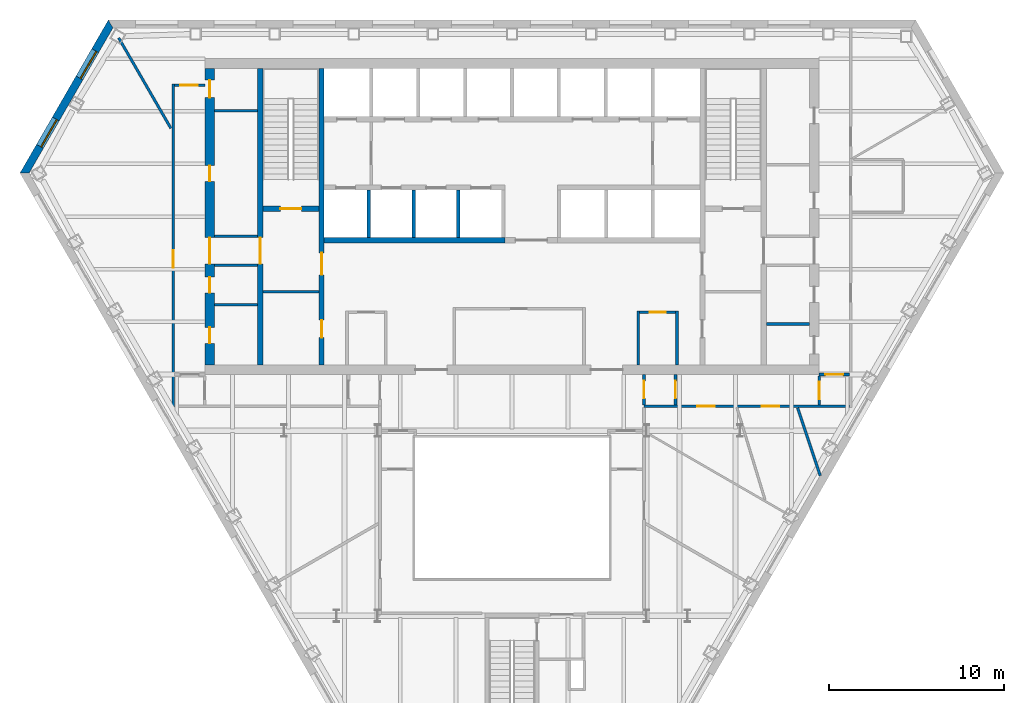
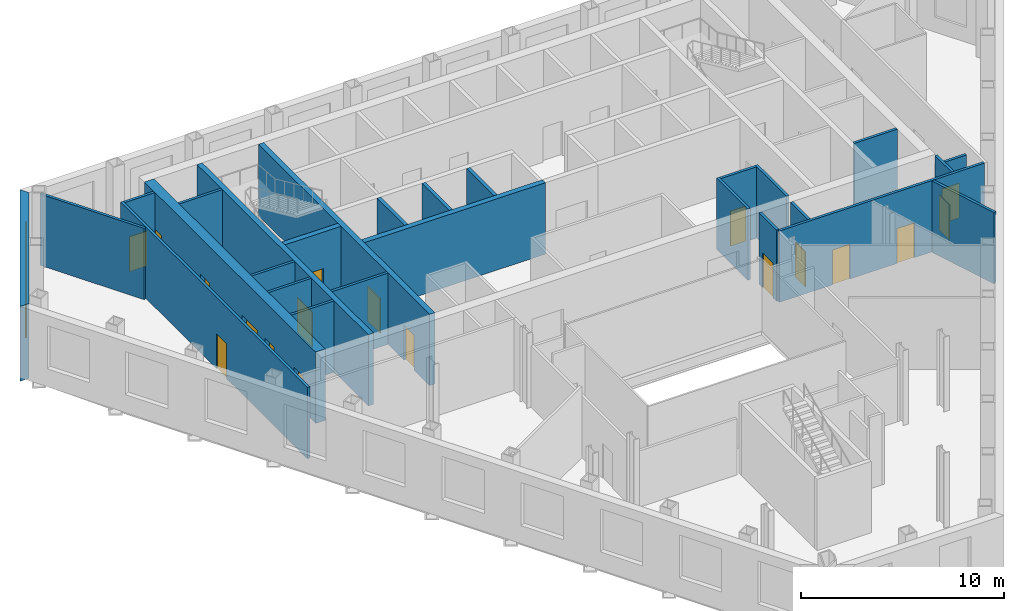
# One storey, part 6 of 11: 27 walls, 18 doors, 2 windows, 20 openings.
"""IFC4 building model written with IfcOpenShell, lengths in metres."""

import ifcopenshell
import ifcopenshell.guid

model = None  # the IFC model being written
_history = None  # IfcOwnerHistory: only IFC2X3 demands one
_inside = {}  # id of a spatial element -> (the spatial element, [elements in it])
_under = {}  # id of a project, library or spatial element -> (it, [spatial elements below it])
_declared = {}  # id of a project -> (the project, [libraries it declares])
_typed = {}  # id of a type object -> (the type object, [elements of that type])
_made_of = {}  # id of a material, layer set ... -> (it, [elements and type objects made of it])


def new_model(schema):
    """Start an empty IFC model of exactly this schema.

    Asked for "IFC4X3", IfcOpenShell would pick the latest addendum, in which some entities
    have other attributes; the version numbers below select the first issue.
    IFC2X3 requires an IfcOwnerHistory on every rooted entity: one is made here for all.
    """
    global model, _history
    if schema == "IFC4X3":
        model = ifcopenshell.file(schema_version=(4, 3, 0, 0))
    else:
        model = ifcopenshell.file(schema=schema)
    _inside.clear()
    _under.clear()
    _declared.clear()
    _typed.clear()
    _made_of.clear()
    _history = None
    if model.schema == "IFC2X3":
        org = make("IfcOrganization", Name="unknown")
        user = make(
            "IfcPersonAndOrganization",
            ThePerson=make("IfcPerson", FamilyName="unknown"),
            TheOrganization=org,
        )
        app = make(
            "IfcApplication",
            ApplicationDeveloper=org,
            Version="unknown",
            ApplicationFullName="unknown",
            ApplicationIdentifier="unknown",
        )
        _history = make(
            "IfcOwnerHistory",
            OwningUser=user,
            OwningApplication=app,
            ChangeAction="ADDED",
            CreationDate=0,
        )
    return model


def make(cls, **values):
    """One entity of the class cls with the attributes given. An attribute that is None is left unset."""
    return model.create_entity(
        cls, **{name: value for name, value in values.items() if value is not None}
    )


def rooted(cls, **values):
    """An entity with a GlobalId (a new one), such as an element, a storey or a relation."""
    return make(cls, GlobalId=ifcopenshell.guid.new(), OwnerHistory=_history, **values)


def si_unit(unit_type, name, prefix=None):
    """IfcSIUnit, for example si_unit("LENGTHUNIT", "METRE", prefix="MILLI")."""
    return make("IfcSIUnit", UnitType=unit_type, Prefix=prefix, Name=name)


def assignment(units):
    """IfcUnitAssignment: the units of a project."""
    return None if units is None else make("IfcUnitAssignment", Units=units)


def point(xyz):
    """IfcCartesianPoint."""
    return None if xyz is None else make("IfcCartesianPoint", Coordinates=xyz)


def direction(xyz):
    """IfcDirection."""
    return None if xyz is None else make("IfcDirection", DirectionRatios=xyz)


def frame(location, z_axis=None, x_axis=None):
    """IfcAxis2Placement3D, a coordinate frame: its origin and axes. An axis left out is left unset."""
    return make(
        "IfcAxis2Placement3D",
        Location=point(location),
        Axis=direction(z_axis),
        RefDirection=direction(x_axis),
    )


def frame_2d(location, x_axis=None):
    """IfcAxis2Placement2D, a coordinate frame in the plane: its origin and x axis."""
    return make(
        "IfcAxis2Placement2D", Location=point(location), RefDirection=direction(x_axis)
    )


def origin():
    """The frame at (0, 0, 0) with its axes left unset."""
    return frame((0.0, 0.0, 0.0))


def place(relative_to, where):
    """IfcLocalPlacement: puts the frame where relative to a parent placement (None: the world)."""
    return make(
        "IfcLocalPlacement", PlacementRelTo=relative_to, RelativePlacement=where
    )


def context(
    kind, dimensions, precision=None, world=None, true_north=None, identifier=None
):
    """IfcGeometricRepresentationContext, for example the 3D "Model" context."""
    return make(
        "IfcGeometricRepresentationContext",
        ContextIdentifier=identifier,
        ContextType=kind,
        CoordinateSpaceDimension=dimensions,
        Precision=precision,
        WorldCoordinateSystem=world,
        TrueNorth=true_north,
    )


def subcontext(parent, identifier, kind, view, scale=None):
    """IfcGeometricRepresentationSubContext, for example "Body" below "Model"."""
    return make(
        "IfcGeometricRepresentationSubContext",
        ContextIdentifier=identifier,
        ContextType=kind,
        ParentContext=parent,
        TargetScale=scale,
        TargetView=view,
    )


def project(units=None, contexts=None):
    """IfcProject with its units and contexts."""
    return rooted(
        "IfcProject",
        Name="project",
        RepresentationContexts=contexts,
        UnitsInContext=assignment(units),
    )


def spatial(cls, under=None, at=None, **own):
    """A site, building, storey or space (cls), placed at a placement, below another one or the project."""
    s = rooted(cls, ObjectPlacement=at, **own)
    if under is not None:
        _under.setdefault(under.id(), (under, []))[1].append(s)
    return s


def polyline(points):
    """IfcPolyline through the points."""
    return make("IfcPolyline", Points=[point(p) for p in points])


def profile(cls, at=None, kind="AREA", **sizes):
    """A parametric profile (cls). Its sizes go by their IFC names, for example OverallWidth=200.0."""
    return make(cls, ProfileType=kind, Position=at, **sizes)


def rectangle(**sizes):
    """IfcRectangleProfileDef."""
    return profile("IfcRectangleProfileDef", **sizes)


def outline(outer, holes=None, kind="AREA"):
    """IfcArbitraryClosedProfileDef: a profile drawn as a closed curve; with holes, ...WithVoids."""
    if holes is None:
        return make("IfcArbitraryClosedProfileDef", ProfileType=kind, OuterCurve=outer)
    return make(
        "IfcArbitraryProfileDefWithVoids",
        ProfileType=kind,
        OuterCurve=outer,
        InnerCurves=holes,
    )


def extrude(swept, where, along, depth):
    """IfcExtrudedAreaSolid: the profile swept, set in the frame where, extruded along a direction by depth."""
    return make(
        "IfcExtrudedAreaSolid",
        SweptArea=swept,
        Position=where,
        ExtrudedDirection=direction(along),
        Depth=depth,
    )


def shape(context_of_items, identifier, shape_type, items):
    """IfcShapeRepresentation: the items that make up one representation, for example the "Body"."""
    return make(
        "IfcShapeRepresentation",
        ContextOfItems=context_of_items,
        RepresentationIdentifier=identifier,
        RepresentationType=shape_type,
        Items=items,
    )


def material(Name=None, Category=None):
    """IfcMaterial."""
    return make("IfcMaterial", Name=Name, Category=Category)


def layer(
    of_material, thickness, ventilated=None, Name=None, Category=None, Priority=None
):
    """IfcMaterialLayer: one layer of a wall or slab, of a material (None: an air gap)."""
    return make(
        "IfcMaterialLayer",
        Material=of_material,
        LayerThickness=thickness,
        IsVentilated=ventilated,
        Name=Name,
        Category=Category,
        Priority=Priority,
    )


def layer_set(layers, Name=None):
    """IfcMaterialLayerSet."""
    return make("IfcMaterialLayerSet", MaterialLayers=layers, LayerSetName=Name)


def made_of(thing, what):
    """Note that an element or type object is made of a material, layer set ...; save() writes the relation."""
    if what is not None:
        _made_of.setdefault(what.id(), (what, []))[1].append(thing)
    return thing


def type_object(cls, material=None, **own):
    """A type object (cls), such as IfcWallType, which elements share."""
    return made_of(rooted(cls, **own), material)


def element(
    cls,
    number,
    at=None,
    inside=None,
    cuts=None,
    type_object=None,
    material=None,
    context=None,
    identifier="Body",
    shape_type=None,
    held_by="IfcProductDefinitionShape",
    body=None,
    shapes=None,
    **own,
):
    """One element of the class cls, such as IfcWall. Its Tag is "e" and its number.

    at: its placement. inside: the storey or other place that contains it. cuts: it is an
    opening in that element (IfcRelVoidsElement). A single representation is given by context,
    identifier, shape_type and body (its items); several are given by shapes. held_by: the class
    of the entity that holds the representations. save() writes the other relations.
    """
    e = rooted(cls, Tag="e%d" % number, ObjectPlacement=at, **own)
    if body is not None:
        shapes = [shape(context, identifier, shape_type, body)]
    if shapes is not None:
        e.Representation = make(held_by, Representations=shapes)
    if inside is not None:
        _inside.setdefault(inside.id(), (inside, []))[1].append(e)
    if cuts is not None:
        rooted(
            "IfcRelVoidsElement", RelatingBuildingElement=cuts, RelatedOpeningElement=e
        )
    if type_object is not None:
        _typed.setdefault(type_object.id(), (type_object, []))[1].append(e)
    return made_of(e, material)


def fill(opening, filler):
    """IfcRelFillsElement: the door or window that sits in an opening."""
    return rooted(
        "IfcRelFillsElement",
        RelatingOpeningElement=opening,
        RelatedBuildingElement=filler,
    )


def aggregate(whole, parts):
    """IfcRelAggregates: a whole, such as a stair, and the parts it consists of."""
    return rooted("IfcRelAggregates", RelatingObject=whole, RelatedObjects=parts)


def save(model, path):
    """Write the relations noted so far, then the file.

    IfcRelAggregates (storeys below a building ...), IfcRelContainedInSpatialStructure (elements
    in a storey), IfcRelDefinesByType, IfcRelAssociatesMaterial and IfcRelDeclares: one each for
    every whole, place, type object, material and project.
    """
    for whole, parts in _under.values():
        aggregate(whole, parts)
    for where, things in _inside.values():
        rooted(
            "IfcRelContainedInSpatialStructure",
            RelatedElements=things,
            RelatingStructure=where,
        )
    for kind, things in _typed.values():
        rooted("IfcRelDefinesByType", RelatedObjects=things, RelatingType=kind)
    for what, things in _made_of.values():
        rooted("IfcRelAssociatesMaterial", RelatedObjects=things, RelatingMaterial=what)
    for by, libraries in _declared.values():
        rooted("IfcRelDeclares", RelatingContext=by, RelatedDefinitions=libraries)
    model.write(path)


model = new_model("IFC4")

# Units and contexts
model_context = context("Model", 3, precision=1e-05, world=origin(), true_north=direction((0.0, 1.0)))
body_context = subcontext(model_context, "Body", "Model", "MODEL_VIEW")
ifc_project = project(units=[si_unit("LENGTHUNIT", "METRE"), si_unit("AREAUNIT", "SQUARE_METRE"), si_unit("VOLUMEUNIT", "CUBIC_METRE"), si_unit("PLANEANGLEUNIT", "RADIAN"), si_unit("MASSUNIT", "GRAM", prefix="KILO")], contexts=[model_context])

# Site, building, storey
site_placement = place(None, origin())
site = spatial("IfcSite", under=ifc_project, at=site_placement, CompositionType="ELEMENT")
building_placement = place(site_placement, origin())
building = spatial("IfcBuilding", under=site, at=building_placement, Name="Njiva Tower", CompositionType="ELEMENT")
storey_placement = place(building_placement, frame((0.0, 0.0, 97.8)))
storey = spatial("IfcBuildingStorey", under=building, at=storey_placement, Name="L20", CompositionType="ELEMENT", Elevation=97.8)

# Walls
ifc_material_1 = material(Name="Blockwork", Category="masonry")
ifc_layer_1 = layer(ifc_material_1, 0.15)
ifc_layer_set_1 = layer_set([ifc_layer_1], Name="Blockwork")
wall_type_1 = type_object("IfcWallType", Name="WT1 Compartment partition 150", PredefinedType="PARTITIONING", material=ifc_layer_set_1)
wall_1_placement = place(storey_placement, frame((-14.2, 4.725, 0.0), z_axis=(0.0, 0.0, 1.0), x_axis=(1.0, 0.0, 0.0)))
element("IfcWall", 1, at=wall_1_placement, inside=storey, type_object=wall_type_1, Name="Room wall A", PredefinedType="PARTITIONING", context=body_context, shape_type="SweptSolid", body=[
    extrude(rectangle(XDim=3.2, YDim=0.15, at=frame_2d((1.6, 0.0))), origin(), (0.0, 0.0, 1.0), 4.3),
])
wall_2_placement = place(storey_placement, frame((-16.95, 15.0294, 0.0), z_axis=(0.0, 0.0, 1.0), x_axis=(1.0, 0.0, 0.0)))
element("IfcWall", 2, at=wall_2_placement, inside=storey, type_object=wall_type_1, Name="Partition strip W10", PredefinedType="PARTITIONING", context=body_context, shape_type="SweptSolid", body=[
    extrude(rectangle(XDim=2.45, YDim=0.15, at=frame_2d((1.225, 0.0))), origin(), (0.0, 0.0, 1.0), 4.3),
])
for number, where, z_axis, x_axis, name in (
    (3, (7.2, 0.55, 0.0), (0.0, 0.0, 1.0), (0.0, 1.0, 0.0), "Tenant reception wall west"),
    (4, (9.4, 0.55, 0.0), (0.0, 0.0, 1.0), (0.0, 1.0, 0.0), "Tenant reception wall east"),
):
    element("IfcWall", number, at=place(storey_placement, frame(where, z_axis=z_axis, x_axis=x_axis)), inside=storey, type_object=wall_type_1, Name=name, PredefinedType="PARTITIONING", context=body_context, shape_type="SweptSolid", body=[
        extrude(rectangle(XDim=3.075, YDim=0.15, at=frame_2d((1.5375, 0.0))), origin(), (0.0, 0.0, 1.0), 4.3),
    ])

# Wall, opening, door
wall_3_placement = place(storey_placement, frame((7.275, 3.55, 0.0), z_axis=(0.0, 0.0, 1.0), x_axis=(1.0, 0.0, 0.0)))
wall_3 = element("IfcWall", 5, at=wall_3_placement, inside=storey, type_object=wall_type_1, Name="Tenant reception wall north", PredefinedType="PARTITIONING", context=body_context, shape_type="SweptSolid", body=[
    extrude(rectangle(XDim=2.05, YDim=0.15, at=frame_2d((1.025, 0.0))), origin(), (0.0, 0.0, 1.0), 4.3),
])
opening_1_placement = place(wall_3_placement, frame((0.575, 0.0, 0.0)))
opening_1 = element("IfcOpeningElement", 6, at=opening_1_placement, cuts=wall_3, Name="Opening S07-D932", PredefinedType="OPENING", context=body_context, shape_type="SweptSolid", body=[
    extrude(rectangle(XDim=0.9, YDim=2.1, at=frame_2d((0.45, 1.05))), frame((0.0, 0.085, 0.0), z_axis=(0.0, -1.0, 0.0), x_axis=(1.0, 0.0, 0.0)), (0.0, 0.0, 1.0), 0.17),
])
ifc_material_2 = material(Name="Steel fire door, painted", Category="steel")
door_type_1 = type_object("IfcDoorType", Name="D6 Fire-rated door 900x2100", OperationType="SINGLE_SWING_LEFT", PredefinedType="DOOR", material=ifc_material_2)
door_1_placement = place(opening_1_placement, origin())
door_1 = element("IfcDoor", 7, at=door_1_placement, inside=storey, type_object=door_type_1, Name="Tenant reception door", OperationType="SINGLE_SWING_RIGHT", OverallHeight=2.1, OverallWidth=0.9, PredefinedType="DOOR", context=body_context, shape_type="SweptSolid", body=[
    extrude(rectangle(XDim=0.9, YDim=2.1, at=frame_2d((0.45, 1.05))), frame((0.0, 0.025, 0.0), z_axis=(0.0, -1.0, 0.0), x_axis=(1.0, 0.0, 0.0)), (0.0, 0.0, 1.0), 0.05),
])
fill(opening_1, door_1)

# Wall, openings, doors
ifc_material_3 = material(Name="Concrete C40/50", Category="concrete")
ifc_layer_2 = layer(ifc_material_3, 0.3)
ifc_layer_set_2 = layer_set([ifc_layer_2], Name="Concrete C40/50")
wall_type_2 = type_object("IfcWallType", Name="WT10 Stair enclosure wall 300", PredefinedType="SHEAR", material=ifc_layer_set_2)
wall_4_placement = place(storey_placement, frame((-10.85, 0.55, 0.0), z_axis=(0.0, 0.0, 1.0), x_axis=(0.0, 1.0, 0.0)))
wall_4 = element("IfcWall", 8, at=wall_4_placement, inside=storey, type_object=wall_type_2, Name="Stair wall west inner", PredefinedType="SHEAR", context=body_context, shape_type="SweptSolid", body=[
    extrude(rectangle(XDim=16.9, YDim=0.3, at=frame_2d((8.45, 0.0))), origin(), (0.0, 0.0, 1.0), 4.3),
])
opening_2_placement = place(wall_4_placement, frame((5.125, 0.0, 0.0)))
opening_2 = element("IfcOpeningElement", 9, at=opening_2_placement, cuts=wall_4, Name="Opening S07-D914", PredefinedType="OPENING", context=body_context, shape_type="SweptSolid", body=[
    extrude(rectangle(XDim=1.25, YDim=2.1, at=frame_2d((0.625, 1.05))), frame((0.0, 0.16, 0.0), z_axis=(0.0, -1.0, 0.0), x_axis=(1.0, 0.0, 0.0)), (0.0, 0.0, 1.0), 0.32),
])
opening_3_placement = place(wall_4_placement, frame((1.55, 0.0, 0.0)))
opening_3 = element("IfcOpeningElement", 10, at=opening_3_placement, cuts=wall_4, Name="Opening S07-D915", PredefinedType="OPENING", context=body_context, shape_type="SweptSolid", body=[
    extrude(rectangle(XDim=1.0, YDim=2.1, at=frame_2d((0.5, 1.05))), frame((0.0, 0.16, 0.0), z_axis=(0.0, -1.0, 0.0), x_axis=(1.0, 0.0, 0.0)), (0.0, 0.0, 1.0), 0.32),
])
ifc_material_4 = material(Name="Steel door, painted", Category="steel")
door_type_2 = type_object("IfcDoorType", Name="D5 Steel door 1000x2100", OperationType="SINGLE_SWING_LEFT", PredefinedType="DOOR", material=ifc_material_4)
door_2_placement = place(opening_3_placement, origin())
door_2 = element("IfcDoor", 11, at=door_2_placement, inside=storey, type_object=door_type_2, Name="Meeting room door", OperationType="SINGLE_SWING_RIGHT", OverallHeight=2.1, OverallWidth=1.0, PredefinedType="DOOR", context=body_context, shape_type="SweptSolid", body=[
    extrude(rectangle(XDim=1.0, YDim=2.1, at=frame_2d((0.5, 1.05))), frame((0.0, 0.025, 0.0), z_axis=(0.0, -1.0, 0.0), x_axis=(1.0, 0.0, 0.0)), (0.0, 0.0, 1.0), 0.05),
])
fill(opening_3, door_2)
ifc_material_5 = material(Name="Glazed steel fire door", Category="steel")
door_type_3 = type_object("IfcDoorType", Name="D8 Vestibule corridor door 1250x2100 glazed", OperationType="SINGLE_SWING_LEFT", PredefinedType="DOOR", material=ifc_material_5)
door_3_placement = place(opening_2_placement, origin())
door_3 = element("IfcDoor", 12, at=door_3_placement, inside=storey, type_object=door_type_3, Name="Stair vestibule corridor door", OperationType="SINGLE_SWING_LEFT", OverallHeight=2.1, OverallWidth=1.25, PredefinedType="DOOR", context=body_context, shape_type="SweptSolid", body=[
    extrude(rectangle(XDim=1.25, YDim=2.1, at=frame_2d((0.625, 1.05))), frame((0.0, 0.025, 0.0), z_axis=(0.0, -1.0, 0.0), x_axis=(1.0, 0.0, 0.0)), (0.0, 0.0, 1.0), 0.05),
])
fill(opening_2, door_3)

# Wall, opening, door
wall_5_placement = place(storey_placement, frame((-14.35, 0.55, 0.0), z_axis=(0.0, 0.0, 1.0), x_axis=(0.0, 1.0, 0.0)))
wall_5 = element("IfcWall", 13, at=wall_5_placement, inside=storey, type_object=wall_type_2, Name="Stair wall west outer", PredefinedType="SHEAR", context=body_context, shape_type="SweptSolid", body=[
    extrude(rectangle(XDim=16.9, YDim=0.3, at=frame_2d((8.45, 0.0))), origin(), (0.0, 0.0, 1.0), 4.3),
])
opening_4_placement = place(wall_5_placement, frame((5.75, 0.0, 0.0)))
opening_4 = element("IfcOpeningElement", 14, at=opening_4_placement, cuts=wall_5, Name="Opening S07-D920", PredefinedType="OPENING", context=body_context, shape_type="SweptSolid", body=[
    extrude(rectangle(XDim=1.5, YDim=2.1, at=frame_2d((0.75, 1.05))), frame((0.0, 0.16, 0.0), z_axis=(0.0, -1.0, 0.0), x_axis=(1.0, 0.0, 0.0)), (0.0, 0.0, 1.0), 0.32),
])
door_type_4 = type_object("IfcDoorType", Name="D10 Exit door double 1500x2100 glazed", OperationType="DOUBLE_DOOR_SINGLE_SWING", PredefinedType="DOOR", material=ifc_material_5)
door_4_placement = place(opening_4_placement, origin())
door_4 = element("IfcDoor", 15, at=door_4_placement, inside=storey, type_object=door_type_4, Name="Stair A passage door", OperationType="DOUBLE_DOOR_SINGLE_SWING", OverallHeight=2.1, OverallWidth=1.5, PredefinedType="DOOR", context=body_context, shape_type="SweptSolid", body=[
    extrude(rectangle(XDim=1.5, YDim=2.1, at=frame_2d((0.75, 1.05))), frame((0.0, 0.025, 0.0), z_axis=(0.0, -1.0, 0.0), x_axis=(1.0, 0.0, 0.0)), (0.0, 0.0, 1.0), 0.05),
])
fill(opening_4, door_4)

wall_6_placement = place(storey_placement, frame((-14.2, 9.45, 0.0), z_axis=(0.0, 0.0, 1.0), x_axis=(1.0, 0.0, 0.0)))
wall_6 = element("IfcWall", 16, at=wall_6_placement, inside=storey, type_object=wall_type_2, Name="Stair A south wall", PredefinedType="SHEAR", context=body_context, shape_type="SweptSolid", body=[
    extrude(rectangle(XDim=3.2, YDim=0.3, at=frame_2d((1.6, 0.0))), origin(), (0.0, 0.0, 1.0), 4.3),
])
opening_5_placement = place(wall_6_placement, frame((1.0, 0.0, 0.0)))
opening_5 = element("IfcOpeningElement", 17, at=opening_5_placement, cuts=wall_6, Name="Opening S07-D913", PredefinedType="OPENING", context=body_context, shape_type="SweptSolid", body=[
    extrude(rectangle(XDim=1.2, YDim=2.1, at=frame_2d((0.6, 1.05))), frame((0.0, 0.16, 0.0), z_axis=(0.0, -1.0, 0.0), x_axis=(1.0, 0.0, 0.0)), (0.0, 0.0, 1.0), 0.32),
])
door_type_5 = type_object("IfcDoorType", Name="D7 Stair vestibule door 1200x2100 glazed", OperationType="SINGLE_SWING_LEFT", PredefinedType="DOOR", material=ifc_material_5)
door_5_placement = place(opening_5_placement, origin())
door_5 = element("IfcDoor", 18, at=door_5_placement, inside=storey, type_object=door_type_5, Name="Stair A door", OperationType="SINGLE_SWING_LEFT", OverallHeight=2.1, OverallWidth=1.2, PredefinedType="DOOR", context=body_context, shape_type="SweptSolid", body=[
    extrude(rectangle(XDim=1.2, YDim=2.1, at=frame_2d((0.6, 1.05))), frame((0.0, 0.025, 0.0), z_axis=(0.0, -1.0, 0.0), x_axis=(1.0, 0.0, 0.0)), (0.0, 0.0, 1.0), 0.05),
])
fill(opening_5, door_5)

# Wall, openings, doors
ifc_material_6 = material(Name="Concrete C60/75", Category="concrete")
ifc_layer_3 = layer(ifc_material_6, 0.55)
ifc_layer_set_3 = layer_set([ifc_layer_3], Name="Concrete C60/75")
wall_type_3 = type_object("IfcWallType", Name="WT14 Core wall 550", PredefinedType="SHEAR", material=ifc_layer_set_3)
wall_7_placement = place(storey_placement, frame((-17.225, 0.55, 0.0), z_axis=(0.0, 0.0, 1.0), x_axis=(0.0, 1.0, 0.0)))
wall_7 = element("IfcWall", 19, at=wall_7_placement, inside=storey, type_object=wall_type_3, Name="Core wall west", PredefinedType="SHEAR", context=body_context, shape_type="SweptSolid", body=[
    extrude(rectangle(XDim=16.9, YDim=0.55, at=frame_2d((8.45, 0.0))), origin(), (0.0, 0.0, 1.0), 4.3),
])
opening_6_placement = place(wall_7_placement, frame((5.75, 0.0, 0.0)))
opening_6 = element("IfcOpeningElement", 20, at=opening_6_placement, cuts=wall_7, Name="Opening S07-D921", PredefinedType="OPENING", context=body_context, shape_type="SweptSolid", body=[
    extrude(rectangle(XDim=1.5, YDim=2.1, at=frame_2d((0.75, 1.05))), frame((0.0, 0.285, 0.0), z_axis=(0.0, -1.0, 0.0), x_axis=(1.0, 0.0, 0.0)), (0.0, 0.0, 1.0), 0.57),
])
opening_7_placement = place(wall_7_placement, frame((1.2299, 0.0, 0.0)))
opening_7 = element("IfcOpeningElement", 21, at=opening_7_placement, cuts=wall_7, Name="Opening S07-D922", PredefinedType="OPENING", context=body_context, shape_type="SweptSolid", body=[
    extrude(rectangle(XDim=0.9, YDim=2.1, at=frame_2d((0.45, 1.05))), frame((0.0, 0.285, 0.0), z_axis=(0.0, -1.0, 0.0), x_axis=(1.0, 0.0, 0.0)), (0.0, 0.0, 1.0), 0.57),
])
opening_8_placement = place(wall_7_placement, frame((4.1049, 0.0, 0.0)))
opening_8 = element("IfcOpeningElement", 22, at=opening_8_placement, cuts=wall_7, Name="Opening S07-D923", PredefinedType="OPENING", context=body_context, shape_type="SweptSolid", body=[
    extrude(rectangle(XDim=0.9, YDim=2.1, at=frame_2d((0.45, 1.05))), frame((0.0, 0.285, 0.0), z_axis=(0.0, -1.0, 0.0), x_axis=(1.0, 0.0, 0.0)), (0.0, 0.0, 1.0), 0.57),
])
opening_9_placement = place(wall_7_placement, frame((10.4522, 0.0, 0.0)))
opening_9 = element("IfcOpeningElement", 23, at=opening_9_placement, cuts=wall_7, Name="Opening S07-D924", PredefinedType="OPENING", context=body_context, shape_type="SweptSolid", body=[
    extrude(rectangle(XDim=0.9, YDim=2.1, at=frame_2d((0.45, 1.05))), frame((0.0, 0.285, 0.0), z_axis=(0.0, -1.0, 0.0), x_axis=(1.0, 0.0, 0.0)), (0.0, 0.0, 1.0), 0.57),
])
opening_10_placement = place(wall_7_placement, frame((15.2272, 0.0, 0.0)))
opening_10 = element("IfcOpeningElement", 24, at=opening_10_placement, cuts=wall_7, Name="Opening S07-D925", PredefinedType="OPENING", context=body_context, shape_type="SweptSolid", body=[
    extrude(rectangle(XDim=1.0, YDim=2.1, at=frame_2d((0.5, 1.05))), frame((0.0, 0.285, 0.0), z_axis=(0.0, -1.0, 0.0), x_axis=(1.0, 0.0, 0.0)), (0.0, 0.0, 1.0), 0.57),
])
door_6_placement = place(opening_6_placement, origin())
door_6 = element("IfcDoor", 25, at=door_6_placement, inside=storey, type_object=door_type_4, Name="Stair A corridor door", OperationType="DOUBLE_DOOR_SINGLE_SWING", OverallHeight=2.1, OverallWidth=1.5, PredefinedType="DOOR", context=body_context, shape_type="SweptSolid", body=[
    extrude(rectangle(XDim=1.5, YDim=2.1, at=frame_2d((0.75, 1.05))), frame((0.0, 0.025, 0.0), z_axis=(0.0, -1.0, 0.0), x_axis=(1.0, 0.0, 0.0)), (0.0, 0.0, 1.0), 0.05),
])
fill(opening_6, door_6)
door_type_6 = type_object("IfcDoorType", Name="D4 Riser door 900x2100", OperationType="SINGLE_SWING_LEFT", PredefinedType="DOOR", material=ifc_material_4)
door_7_placement = place(opening_8_placement, origin())
door_7 = element("IfcDoor", 26, at=door_7_placement, inside=storey, type_object=door_type_6, Name="Riser door", OperationType="SINGLE_SWING_RIGHT", OverallHeight=2.1, OverallWidth=0.9, PredefinedType="DOOR", context=body_context, shape_type="SweptSolid", body=[
    extrude(rectangle(XDim=0.9, YDim=2.1, at=frame_2d((0.45, 1.05))), frame((0.0, 0.025, 0.0), z_axis=(0.0, -1.0, 0.0), x_axis=(1.0, 0.0, 0.0)), (0.0, 0.0, 1.0), 0.05),
])
fill(opening_8, door_7)
door_8_placement = place(opening_10_placement, origin())
door_8 = element("IfcDoor", 27, at=door_8_placement, inside=storey, type_object=door_type_2, Name="Electrical room door", OperationType="SINGLE_SWING_RIGHT", OverallHeight=2.1, OverallWidth=1.0, PredefinedType="DOOR", context=body_context, shape_type="SweptSolid", body=[
    extrude(rectangle(XDim=1.0, YDim=2.1, at=frame_2d((0.5, 1.05))), frame((0.0, 0.025, 0.0), z_axis=(0.0, -1.0, 0.0), x_axis=(1.0, 0.0, 0.0)), (0.0, 0.0, 1.0), 0.05),
])
fill(opening_10, door_8)
door_9_placement = place(opening_7_placement, origin())
door_9 = element("IfcDoor", 28, at=door_9_placement, inside=storey, type_object=door_type_1, Name="Business centre door", OperationType="SINGLE_SWING_LEFT", OverallHeight=2.1, OverallWidth=0.9, PredefinedType="DOOR", context=body_context, shape_type="SweptSolid", body=[
    extrude(rectangle(XDim=0.9, YDim=2.1, at=frame_2d((0.45, 1.05))), frame((0.0, 0.025, 0.0), z_axis=(0.0, -1.0, 0.0), x_axis=(1.0, 0.0, 0.0)), (0.0, 0.0, 1.0), 0.05),
])
fill(opening_7, door_9)
door_10_placement = place(opening_9_placement, origin())
door_10 = element("IfcDoor", 29, at=door_10_placement, inside=storey, type_object=door_type_1, Name="Meeting room door", OperationType="SINGLE_SWING_RIGHT", OverallHeight=2.1, OverallWidth=0.9, PredefinedType="DOOR", context=body_context, shape_type="SweptSolid", body=[
    extrude(rectangle(XDim=0.9, YDim=2.1, at=frame_2d((0.45, 1.05))), frame((0.0, 0.025, 0.0), z_axis=(0.0, -1.0, 0.0), x_axis=(1.0, 0.0, 0.0)), (0.0, 0.0, 1.0), 0.05),
])
fill(opening_9, door_10)

# Wall
ifc_material_7 = material(Name="Gypsum board on steel studs", Category="gypsum")
ifc_layer_4 = layer(ifc_material_7, 0.15)
ifc_layer_set_4 = layer_set([ifc_layer_4], Name="Gypsum board on steel studs")
wall_type_4 = type_object("IfcWallType", Name="WT21 Compartment wall 150", PredefinedType="PARTITIONING", material=ifc_layer_set_4)
wall_8_placement = place(storey_placement, frame((-22.411, 19.18, 0.0), z_axis=(0.0, 0.0, 1.0), x_axis=(0.499921522108, -0.866070708276, 0.0)))
element("IfcWall", 30, at=wall_8_placement, inside=storey, type_object=wall_type_4, Name="Partition S07-P001", PredefinedType="PARTITIONING", context=body_context, shape_type="SweptSolid", body=[
    extrude(rectangle(XDim=5.9429, YDim=0.15, at=frame_2d((2.9714, 0.0))), origin(), (0.0, 0.0, 1.0), 4.3),
])

# Wall, opening, door
wall_9_placement = place(storey_placement, frame((-19.3, -1.875, 0.0), z_axis=(0.0, 0.0, 1.0), x_axis=(0.0, 1.0, 0.0)))
wall_9 = element("IfcWall", 31, at=wall_9_placement, inside=storey, type_object=wall_type_4, Name="Partition S07-P002", PredefinedType="PARTITIONING", context=body_context, shape_type="SweptSolid", body=[
    extrude(rectangle(XDim=18.422, YDim=0.15, at=frame_2d((9.211, 0.0))), origin(), (0.0, 0.0, 1.0), 4.3),
])
opening_11_placement = place(wall_9_placement, frame((7.964, 0.0, 0.0)))
opening_11 = element("IfcOpeningElement", 32, at=opening_11_placement, cuts=wall_9, Name="Opening S07-D001", PredefinedType="OPENING", context=body_context, shape_type="SweptSolid", body=[
    extrude(rectangle(XDim=1.0, YDim=2.1, at=frame_2d((0.5, 1.05))), frame((0.0, 0.085, 0.0), z_axis=(0.0, -1.0, 0.0), x_axis=(1.0, 0.0, 0.0)), (0.0, 0.0, 1.0), 0.17),
])
ifc_material_8 = material(Name="Steel fire door set", Category="steel")
door_type_7 = type_object("IfcDoorType", Name="D37 Fire door 1000x2100", OperationType="SINGLE_SWING_LEFT", PredefinedType="DOOR", material=ifc_material_8)
door_11_placement = place(opening_11_placement, origin())
door_11 = element("IfcDoor", 33, at=door_11_placement, inside=storey, type_object=door_type_7, Name="Door S07-D001", OperationType="SINGLE_SWING_RIGHT", OverallHeight=2.1, OverallWidth=1.0, PredefinedType="DOOR", context=body_context, shape_type="SweptSolid", body=[
    extrude(rectangle(XDim=1.0, YDim=2.1, at=frame_2d((0.5, 1.05))), frame((0.0, 0.025, 0.0), z_axis=(0.0, -1.0, 0.0), x_axis=(1.0, 0.0, 0.0)), (0.0, 0.0, 1.0), 0.05),
])
fill(opening_11, door_11)

wall_10_placement = place(storey_placement, frame((-19.225, 16.472, 0.0), z_axis=(0.0, 0.0, 1.0), x_axis=(1.0, 0.0, 0.0)))
wall_10 = element("IfcWall", 34, at=wall_10_placement, inside=storey, type_object=wall_type_4, Name="Partition S07-P005", PredefinedType="PARTITIONING", context=body_context, shape_type="SweptSolid", body=[
    extrude(rectangle(XDim=1.725, YDim=0.15, at=frame_2d((0.8625, 0.0))), origin(), (0.0, 0.0, 1.0), 4.3),
])
opening_12_placement = place(wall_10_placement, frame((0.308, 0.0, 0.0)))
opening_12 = element("IfcOpeningElement", 35, at=opening_12_placement, cuts=wall_10, Name="Opening S07-D003", PredefinedType="OPENING", context=body_context, shape_type="SweptSolid", body=[
    extrude(rectangle(XDim=1.0, YDim=2.1, at=frame_2d((0.5, 1.05))), frame((0.0, 0.085, 0.0), z_axis=(0.0, -1.0, 0.0), x_axis=(1.0, 0.0, 0.0)), (0.0, 0.0, 1.0), 0.17),
])
door_12_placement = place(opening_12_placement, origin())
door_12 = element("IfcDoor", 36, at=door_12_placement, inside=storey, type_object=door_type_7, Name="Door S07-D003", OperationType="SINGLE_SWING_RIGHT", OverallHeight=2.1, OverallWidth=1.0, PredefinedType="DOOR", context=body_context, shape_type="SweptSolid", body=[
    extrude(rectangle(XDim=1.0, YDim=2.1, at=frame_2d((0.5, 1.05))), frame((0.0, 0.025, 0.0), z_axis=(0.0, -1.0, 0.0), x_axis=(1.0, 0.0, 0.0)), (0.0, 0.0, 1.0), 0.05),
])
fill(opening_12, door_12)

# Wall, openings, doors
wall_11_placement = place(storey_placement, frame((7.52, -1.8, 0.0), z_axis=(0.0, 0.0, 1.0), x_axis=(1.0, 0.0, 0.0)))
wall_11 = element("IfcWall", 37, at=wall_11_placement, inside=storey, type_object=wall_type_4, Name="Partition S07-P021", PredefinedType="PARTITIONING", context=body_context, shape_type="SweptSolid", body=[
    extrude(rectangle(XDim=11.705, YDim=0.15, at=frame_2d((5.8525, 0.0))), origin(), (0.0, 0.0, 1.0), 4.3),
])
opening_13_placement = place(wall_11_placement, frame((3.028, 0.0, 0.0)))
opening_13 = element("IfcOpeningElement", 38, at=opening_13_placement, cuts=wall_11, Name="Opening S07-D013", PredefinedType="OPENING", context=body_context, shape_type="SweptSolid", body=[
    extrude(rectangle(XDim=1.0, YDim=2.1, at=frame_2d((0.5, 1.05))), frame((0.0, 0.085, 0.0), z_axis=(0.0, -1.0, 0.0), x_axis=(1.0, 0.0, 0.0)), (0.0, 0.0, 1.0), 0.17),
])
opening_14_placement = place(wall_11_placement, frame((6.7, 0.0, 0.0)))
opening_14 = element("IfcOpeningElement", 39, at=opening_14_placement, cuts=wall_11, Name="Opening S07-D014", PredefinedType="OPENING", context=body_context, shape_type="SweptSolid", body=[
    extrude(rectangle(XDim=1.0, YDim=2.1, at=frame_2d((0.5, 1.05))), frame((0.0, 0.085, 0.0), z_axis=(0.0, -1.0, 0.0), x_axis=(1.0, 0.0, 0.0)), (0.0, 0.0, 1.0), 0.17),
])
door_13_placement = place(opening_13_placement, origin())
door_13 = element("IfcDoor", 40, at=door_13_placement, inside=storey, type_object=door_type_7, Name="Door S07-D013", OperationType="SINGLE_SWING_LEFT", OverallHeight=2.1, OverallWidth=1.0, PredefinedType="DOOR", context=body_context, shape_type="SweptSolid", body=[
    extrude(rectangle(XDim=1.0, YDim=2.1, at=frame_2d((0.5, 1.05))), frame((0.0, 0.025, 0.0), z_axis=(0.0, -1.0, 0.0), x_axis=(1.0, 0.0, 0.0)), (0.0, 0.0, 1.0), 0.05),
])
fill(opening_13, door_13)
door_14_placement = place(opening_14_placement, origin())
door_14 = element("IfcDoor", 41, at=door_14_placement, inside=storey, type_object=door_type_7, Name="Door S07-D014", OperationType="SINGLE_SWING_RIGHT", OverallHeight=2.1, OverallWidth=1.0, PredefinedType="DOOR", context=body_context, shape_type="SweptSolid", body=[
    extrude(rectangle(XDim=1.0, YDim=2.1, at=frame_2d((0.5, 1.05))), frame((0.0, 0.025, 0.0), z_axis=(0.0, -1.0, 0.0), x_axis=(1.0, 0.0, 0.0)), (0.0, 0.0, 1.0), 0.05),
])
fill(opening_14, door_14)

# Wall, opening, door
wall_12_placement = place(storey_placement, frame((7.52, -1.725, 0.0), z_axis=(0.0, 0.0, 1.0), x_axis=(0.0, 1.0, 0.0)))
wall_12 = element("IfcWall", 42, at=wall_12_placement, inside=storey, type_object=wall_type_4, Name="Partition S07-P022", PredefinedType="PARTITIONING", context=body_context, shape_type="SweptSolid", body=[
    extrude(rectangle(XDim=1.725, YDim=0.15, at=frame_2d((0.8625, 0.0))), origin(), (0.0, 0.0, 1.0), 4.3),
])
opening_15_placement = place(wall_12_placement, frame((0.363, 0.0, 0.0)))
opening_15 = element("IfcOpeningElement", 43, at=opening_15_placement, cuts=wall_12, Name="Opening S07-D015", PredefinedType="OPENING", context=body_context, shape_type="SweptSolid", body=[
    extrude(rectangle(XDim=1.0, YDim=2.1, at=frame_2d((0.5, 1.05))), frame((0.0, 0.085, 0.0), z_axis=(0.0, -1.0, 0.0), x_axis=(1.0, 0.0, 0.0)), (0.0, 0.0, 1.0), 0.17),
])
door_15_placement = place(opening_15_placement, origin())
door_15 = element("IfcDoor", 44, at=door_15_placement, inside=storey, type_object=door_type_7, Name="Door S07-D015", OperationType="SINGLE_SWING_RIGHT", OverallHeight=2.1, OverallWidth=1.0, PredefinedType="DOOR", context=body_context, shape_type="SweptSolid", body=[
    extrude(rectangle(XDim=1.0, YDim=2.1, at=frame_2d((0.5, 1.05))), frame((0.0, 0.025, 0.0), z_axis=(0.0, -1.0, 0.0), x_axis=(1.0, 0.0, 0.0)), (0.0, 0.0, 1.0), 0.05),
])
fill(opening_15, door_15)

wall_13_placement = place(storey_placement, frame((9.32, -1.725, 0.0), z_axis=(0.0, 0.0, 1.0), x_axis=(0.0, 1.0, 0.0)))
wall_13 = element("IfcWall", 45, at=wall_13_placement, inside=storey, type_object=wall_type_4, Name="Partition S07-P025", PredefinedType="PARTITIONING", context=body_context, shape_type="SweptSolid", body=[
    extrude(rectangle(XDim=1.725, YDim=0.15, at=frame_2d((0.8625, 0.0))), origin(), (0.0, 0.0, 1.0), 4.3),
])
opening_16_placement = place(wall_13_placement, frame((0.363, 0.0, 0.0)))
opening_16 = element("IfcOpeningElement", 46, at=opening_16_placement, cuts=wall_13, Name="Opening S07-D016", PredefinedType="OPENING", context=body_context, shape_type="SweptSolid", body=[
    extrude(rectangle(XDim=1.0, YDim=2.1, at=frame_2d((0.5, 1.05))), frame((0.0, 0.085, 0.0), z_axis=(0.0, -1.0, 0.0), x_axis=(1.0, 0.0, 0.0)), (0.0, 0.0, 1.0), 0.17),
])
door_16_placement = place(opening_16_placement, origin())
door_16 = element("IfcDoor", 47, at=door_16_placement, inside=storey, type_object=door_type_7, Name="Door S07-D016", OperationType="SINGLE_SWING_RIGHT", OverallHeight=2.1, OverallWidth=1.0, PredefinedType="DOOR", context=body_context, shape_type="SweptSolid", body=[
    extrude(rectangle(XDim=1.0, YDim=2.1, at=frame_2d((0.5, 1.05))), frame((0.0, 0.025, 0.0), z_axis=(0.0, -1.0, 0.0), x_axis=(1.0, 0.0, 0.0)), (0.0, 0.0, 1.0), 0.05),
])
fill(opening_16, door_16)

# Wall
wall_14_placement = place(storey_placement, frame((16.275, -1.899, 0.0), z_axis=(0.0, 0.0, 1.0), x_axis=(0.31563818617, -0.948879621149, 0.0)))
element("IfcWall", 48, at=wall_14_placement, inside=storey, type_object=wall_type_4, Name="Partition S07-P027", PredefinedType="PARTITIONING", context=body_context, shape_type="SweptSolid", body=[
    extrude(rectangle(XDim=4.0711, YDim=0.15, at=frame_2d((2.0356, 0.0))), origin(), (0.0, 0.0, 1.0), 4.3),
])

# Wall, opening, door
wall_15_placement = place(storey_placement, frame((17.5, -1.725, 0.0), z_axis=(0.0, 0.0, 1.0), x_axis=(0.0, 1.0, 0.0)))
wall_15 = element("IfcWall", 49, at=wall_15_placement, inside=storey, type_object=wall_type_4, Name="Partition S07-P028", PredefinedType="PARTITIONING", context=body_context, shape_type="SweptSolid", body=[
    extrude(rectangle(XDim=1.65, YDim=0.15, at=frame_2d((0.825, 0.0))), origin(), (0.0, 0.0, 1.0), 4.3),
])
opening_17_placement = place(wall_15_placement, frame((0.325, 0.0, 0.0)))
opening_17 = element("IfcOpeningElement", 50, at=opening_17_placement, cuts=wall_15, Name="Opening S07-D017", PredefinedType="OPENING", context=body_context, shape_type="SweptSolid", body=[
    extrude(rectangle(XDim=1.0, YDim=2.1, at=frame_2d((0.5, 1.05))), frame((0.0, 0.085, 0.0), z_axis=(0.0, -1.0, 0.0), x_axis=(1.0, 0.0, 0.0)), (0.0, 0.0, 1.0), 0.17),
])
door_17_placement = place(opening_17_placement, origin())
door_17 = element("IfcDoor", 51, at=door_17_placement, inside=storey, type_object=door_type_7, Name="Door S07-D017", OperationType="SINGLE_SWING_RIGHT", OverallHeight=2.1, OverallWidth=1.0, PredefinedType="DOOR", context=body_context, shape_type="SweptSolid", body=[
    extrude(rectangle(XDim=1.0, YDim=2.1, at=frame_2d((0.5, 1.05))), frame((0.0, 0.025, 0.0), z_axis=(0.0, -1.0, 0.0), x_axis=(1.0, 0.0, 0.0)), (0.0, 0.0, 1.0), 0.05),
])
fill(opening_17, door_17)

wall_16_placement = place(storey_placement, frame((17.5, 0.0, 0.0), z_axis=(0.0, 0.0, 1.0), x_axis=(1.0, 0.0, 0.0)))
wall_16 = element("IfcWall", 52, at=wall_16_placement, inside=storey, type_object=wall_type_4, Name="Partition S07-P029", PredefinedType="PARTITIONING", context=body_context, shape_type="SweptSolid", body=[
    extrude(rectangle(XDim=1.725, YDim=0.15, at=frame_2d((0.8625, 0.0))), origin(), (0.0, 0.0, 1.0), 3.7),
])
opening_18_placement = place(wall_16_placement, frame((0.363, 0.0, 0.0)))
opening_18 = element("IfcOpeningElement", 53, at=opening_18_placement, cuts=wall_16, Name="Opening S07-D018", PredefinedType="OPENING", context=body_context, shape_type="SweptSolid", body=[
    extrude(rectangle(XDim=1.0, YDim=2.1, at=frame_2d((0.5, 1.05))), frame((0.0, 0.085, 0.0), z_axis=(0.0, -1.0, 0.0), x_axis=(1.0, 0.0, 0.0)), (0.0, 0.0, 1.0), 0.17),
])
door_18_placement = place(opening_18_placement, origin())
door_18 = element("IfcDoor", 54, at=door_18_placement, inside=storey, type_object=door_type_7, Name="Door S07-D018", OperationType="SINGLE_SWING_LEFT", OverallHeight=2.1, OverallWidth=1.0, PredefinedType="DOOR", context=body_context, shape_type="SweptSolid", body=[
    extrude(rectangle(XDim=1.0, YDim=2.1, at=frame_2d((0.5, 1.05))), frame((0.0, 0.025, 0.0), z_axis=(0.0, -1.0, 0.0), x_axis=(1.0, 0.0, 0.0)), (0.0, 0.0, 1.0), 0.05),
])
fill(opening_18, door_18)

# Walls
ifc_layer_5 = layer(ifc_material_1, 0.15)
ifc_layer_set_5 = layer_set([ifc_layer_5], Name="Blockwork")
wall_type_5 = type_object("IfcWallType", Name="WT3 Riser partition 150", PredefinedType="PARTITIONING", material=ifc_layer_set_5)
for number, where, z_axis, x_axis, name in (
    (55, (-16.95, 3.9848, 0.0), (0.0, 0.0, 1.0), (1.0, 0.0, 0.0), "Partition strip W00"),
    (56, (14.5, 2.8809, 0.0), (0.0, 0.0, 1.0), (1.0, 0.0, 0.0), "Partition strip E00"),
):
    element("IfcWall", number, at=place(storey_placement, frame(where, z_axis=z_axis, x_axis=x_axis)), inside=storey, type_object=wall_type_5, Name=name, PredefinedType="PARTITIONING", context=body_context, shape_type="SweptSolid", body=[
        extrude(rectangle(XDim=2.45, YDim=0.15, at=frame_2d((1.225, 0.0))), origin(), (0.0, 0.0, 1.0), 4.3),
    ])
ifc_layer_6 = layer(ifc_material_1, 0.15)
ifc_layer_set_6 = layer_set([ifc_layer_6], Name="Blockwork")
wall_type_6 = type_object("IfcWallType", Name="WT4 Stair partition 150", PredefinedType="PARTITIONING", material=ifc_layer_set_6)
for number, where, z_axis, x_axis, name in (
    (57, (-16.95, 6.225, 0.0), (0.0, 0.0, 1.0), (1.0, 0.0, 0.0), "Stair A exit passage wall south"),
    (58, (-16.95, 7.875, 0.0), (0.0, 0.0, 1.0), (1.0, 0.0, 0.0), "Stair A exit passage wall north"),
):
    element("IfcWall", number, at=place(storey_placement, frame(where, z_axis=z_axis, x_axis=x_axis)), inside=storey, type_object=wall_type_6, Name=name, PredefinedType="PARTITIONING", context=body_context, shape_type="SweptSolid", body=[
        extrude(rectangle(XDim=2.45, YDim=0.15, at=frame_2d((1.225, 0.0))), origin(), (0.0, 0.0, 1.0), 4.3),
    ])
ifc_layer_7 = layer(ifc_material_3, 0.2)
ifc_layer_set_7 = layer_set([ifc_layer_7], Name="Concrete C40/50")
wall_type_7 = type_object("IfcWallType", Name="WT6 Lift shaft wall 200", PredefinedType="SHEAR", material=ifc_layer_set_7)
for number, where, z_axis, x_axis, name in (
    (59, (-8.15, 7.8, 0.0), (0.0, 0.0, 1.0), (0.0, 1.0, 0.0), "Shaft wall CS1"),
    (60, (-5.6, 7.8, 0.0), (0.0, 0.0, 1.0), (0.0, 1.0, 0.0), "Shaft wall CS2"),
    (61, (-3.05, 7.8, 0.0), (0.0, 0.0, 1.0), (0.0, 1.0, 0.0), "Shaft wall CS3"),
):
    element("IfcWall", number, at=place(storey_placement, frame(where, z_axis=z_axis, x_axis=x_axis)), inside=storey, type_object=wall_type_7, Name=name, PredefinedType="SHEAR", context=body_context, shape_type="SweptSolid", body=[
        extrude(rectangle(XDim=2.7, YDim=0.2, at=frame_2d((1.35, 0.0))), origin(), (0.0, 0.0, 1.0), 4.3),
    ])
ifc_layer_8 = layer(ifc_material_3, 0.3)
ifc_layer_set_8 = layer_set([ifc_layer_8], Name="Concrete C40/50")
wall_type_8 = type_object("IfcWallType", Name="WT7 Lift shaft wall 300", PredefinedType="SHEAR", material=ifc_layer_set_8)
wall_17_placement = place(storey_placement, frame((-10.7, 7.65, 0.0), z_axis=(0.0, 0.0, 1.0), x_axis=(1.0, 0.0, 0.0)))
element("IfcWall", 62, at=wall_17_placement, inside=storey, type_object=wall_type_8, Name="Shaft wall south row back W", PredefinedType="SHEAR", context=body_context, shape_type="SweptSolid", body=[
    extrude(rectangle(XDim=10.3, YDim=0.3, at=frame_2d((5.15, 0.0))), origin(), (0.0, 0.0, 1.0), 4.3),
])

# Wall, openings, windows
ifc_material_9 = material(Name="Brick masonry, buff", Category="masonry")
ifc_layer_9 = layer(ifc_material_9, 0.45)
ifc_layer_set_9 = layer_set([ifc_layer_9], Name="Brick masonry, buff")
wall_type_9 = type_object("IfcWallType", Name="WT94 Brick pier and spandrel wall 450, buff", PredefinedType="SOLIDWALL", material=ifc_layer_set_9)
wall_18_placement = place(storey_placement, frame((-22.8701, 19.975, -0.4), z_axis=(0.0, 0.0, 1.0), x_axis=(-0.499999223869, -0.866025851883, 0.0)))
wall_18 = element("IfcWall", 63, at=wall_18_placement, inside=storey, type_object=wall_type_9, Name="Facade wall NW", PredefinedType="SOLIDWALL", context=body_context, shape_type="SweptSolid", body=[
    extrude(outline(polyline([(-0.1299, -0.225), (9.9401, -0.225), (9.6803, 0.225), (0.1299, 0.225), (-0.1299, -0.225)])), origin(), (0.0, 0.0, 1.0), 4.5),
])
opening_19_placement = place(wall_18_placement, frame((1.7569, 0.0, 1.3)))
opening_19 = element("IfcOpeningElement", 64, at=opening_19_placement, cuts=wall_18, Name="Opening S07-W10", PredefinedType="OPENING", context=body_context, shape_type="SweptSolid", body=[
    extrude(rectangle(XDim=1.8, YDim=2.6, at=frame_2d((0.9, 1.3))), frame((0.0, 0.235, 0.0), z_axis=(0.0, -1.0, 0.0), x_axis=(1.0, 0.0, 0.0)), (0.0, 0.0, 1.0), 0.47),
])
opening_20_placement = place(wall_18_placement, frame((6.2532, 0.0, 1.3)))
opening_20 = element("IfcOpeningElement", 65, at=opening_20_placement, cuts=wall_18, Name="Opening S07-W11", PredefinedType="OPENING", context=body_context, shape_type="SweptSolid", body=[
    extrude(rectangle(XDim=1.8, YDim=2.6, at=frame_2d((0.9, 1.3))), frame((0.0, 0.235, 0.0), z_axis=(0.0, -1.0, 0.0), x_axis=(1.0, 0.0, 0.0)), (0.0, 0.0, 1.0), 0.47),
])
ifc_material_10 = material(Name="Clear glazing in aluminium frame", Category="aluminium")
window_type = type_object("IfcWindowType", Name="W96 Deep-set window 1800x2600", PartitioningType="SINGLE_PANEL", PredefinedType="WINDOW", material=ifc_material_10)
window_1_placement = place(opening_19_placement, origin())
window_1 = element("IfcWindow", 66, at=window_1_placement, inside=storey, type_object=window_type, Name="Window", OverallHeight=2.6, OverallWidth=1.8, PartitioningType="SINGLE_PANEL", PredefinedType="WINDOW", context=body_context, shape_type="SweptSolid", body=[
    extrude(rectangle(XDim=1.8, YDim=2.6, at=frame_2d((0.9, 1.3))), frame((0.0, 0.105, 0.0), z_axis=(0.0, -1.0, 0.0), x_axis=(1.0, 0.0, 0.0)), (0.0, 0.0, 1.0), 0.06),
])
fill(opening_19, window_1)
window_2_placement = place(opening_20_placement, origin())
window_2 = element("IfcWindow", 67, at=window_2_placement, inside=storey, type_object=window_type, Name="Window", OverallHeight=2.6, OverallWidth=1.8, PartitioningType="SINGLE_PANEL", PredefinedType="WINDOW", context=body_context, shape_type="SweptSolid", body=[
    extrude(rectangle(XDim=1.8, YDim=2.6, at=frame_2d((0.9, 1.3))), frame((0.0, 0.105, 0.0), z_axis=(0.0, -1.0, 0.0), x_axis=(1.0, 0.0, 0.0)), (0.0, 0.0, 1.0), 0.06),
])
fill(opening_20, window_2)

save(model, "model.ifc")
